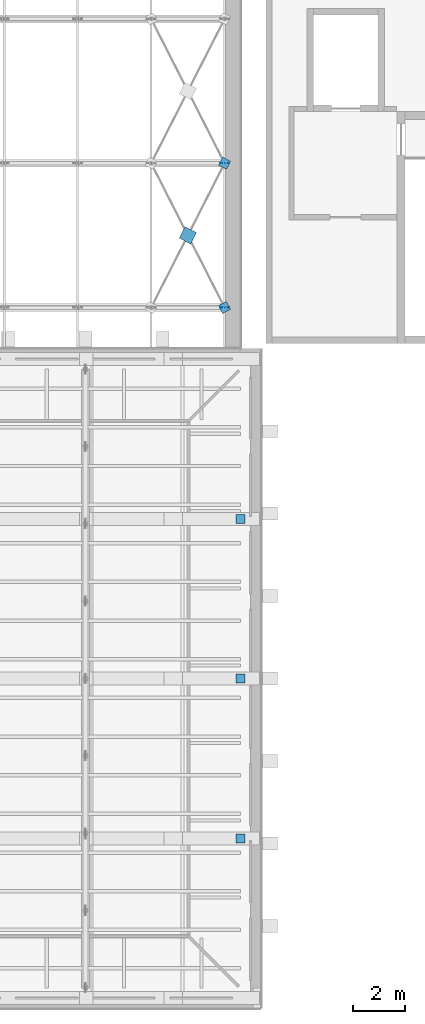
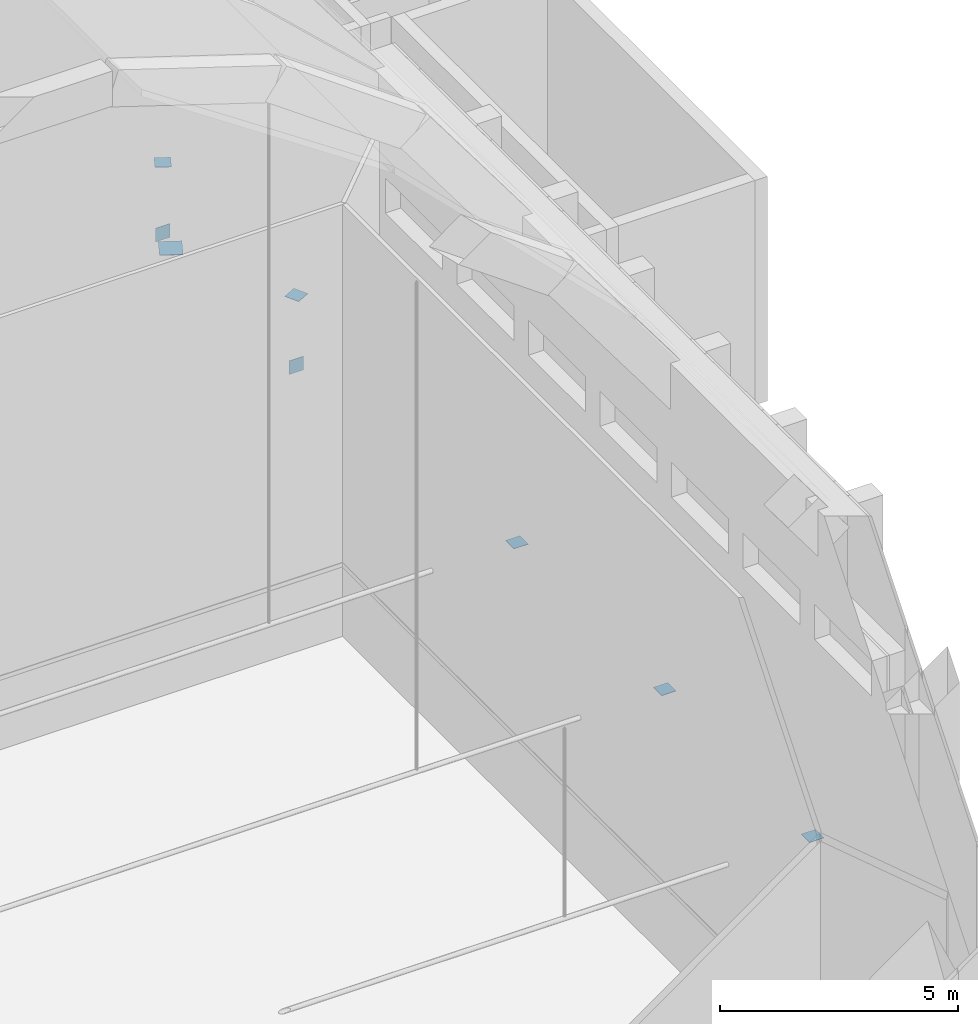
# One storey, part 50 of 55: 8 discrete accessories.
"""IFC4 building model written with IfcOpenShell, lengths in metres."""

from ifc_helpers import new_model, si_unit, direction, frame, origin, origin_2d, place, context, subcontext, project, spatial, rectangle, extrude, material, layer, layer_set, type_object, element, save


model = new_model("IFC4")

# Units and contexts
model_context = context("Model", 3, precision=1e-05, world=origin(), true_north=direction((0.0, 1.0)))
body_context = subcontext(model_context, "Body", "Model", "MODEL_VIEW")
ifc_project = project(units=[si_unit("LENGTHUNIT", "METRE"), si_unit("AREAUNIT", "SQUARE_METRE"), si_unit("VOLUMEUNIT", "CUBIC_METRE"), si_unit("PLANEANGLEUNIT", "RADIAN"), si_unit("MASSUNIT", "GRAM", prefix="KILO")], contexts=[model_context])

# Site, building, storey
site_placement = place(None, origin())
site = spatial("IfcSite", under=ifc_project, at=site_placement, CompositionType="ELEMENT")
building_placement = place(site_placement, origin())
building = spatial("IfcBuilding", under=site, at=building_placement, Name="Lunette Opera House", CompositionType="ELEMENT")
storey_placement = place(building_placement, frame((0.0, 0.0, 34.0)))
storey = spatial("IfcBuildingStorey", under=building, at=storey_placement, Name="L06", CompositionType="ELEMENT", Elevation=34.0)

# Discrete accessories
ifc_material_1 = material(Name="Steel S355", Category="steel")
ifc_layer_1 = layer(ifc_material_1, 0.011962890625)
ifc_layer_set_1 = layer_set([ifc_layer_1], Name="Steel S355")
discrete_accessory_type_1 = type_object("IfcDiscreteAccessoryType", Name="BRACE GUSSET PLATE 12", PredefinedType="USERDEFINED", material=ifc_layer_set_1)
for number, where, z_axis, x_axis, name in (
    (1, (108.010009765625, 101.800048828125, 3.994140625), (0.0, 0.0, 1.0), (1.0, 0.0, 0.0), "Gusset plate 41"),
    (2, (108.010009765625, 108.0, 3.994140625), (0.0, 0.0, 1.0), (1.0, 0.0, 0.0), "Gusset plate 43"),
    (3, (108.010009765625, 114.199951171875, 3.994140625), (0.0, 0.0, 1.0), (1.0, 0.0, 0.0), "Gusset plate 45"),
):
    element("IfcDiscreteAccessory", number, at=place(storey_placement, frame(where, z_axis=z_axis, x_axis=x_axis)), inside=storey, type_object=discrete_accessory_type_1, Name=name, ObjectType="GUSSET PLATE", PredefinedType="USERDEFINED", context=body_context, shape_type="SweptSolid", body=[
        extrude(rectangle(XDim=0.35009765625, YDim=0.35009765625, at=origin_2d()), origin(), (0.0, 0.0, 1.0), 0.011962890625),
    ])
for number, where, z_axis, x_axis, name in (
    (4, (107.39990234375, 122.39990234375, 3.599853515625), (0.0, 0.0, 1.0), (1.0, 0.0, 0.0), "Gusset plate 160"),
    (5, (107.39990234375, 128.0, 3.599853515625), (0.0, 0.0, 1.0), (1.0, 0.0, 0.0), "Gusset plate 169"),
):
    element("IfcDiscreteAccessory", number, at=place(storey_placement, frame(where, z_axis=z_axis, x_axis=x_axis)), inside=storey, type_object=discrete_accessory_type_1, Name=name, ObjectType="GUSSET PLATE", PredefinedType="USERDEFINED", context=body_context, shape_type="SweptSolid", body=[
        extrude(rectangle(XDim=0.35009765625, YDim=0.011962890625, at=origin_2d()), origin(), (0.0, 0.0, 1.0), 0.35009765625),
    ])
for number, where, z_axis, x_axis, name in (
    (6, (107.39990234375, 128.0, 5.56884765625), (0.0, 0.0, 1.0), (0.453567461466, 0.891221946487, 0.0), "Gusset plate 182"),
    (7, (107.39990234375, 122.39990234375, 5.56884765625), (0.0, 0.0, 1.0), (-0.453567461466, 0.891221946487, 0.0), "Gusset plate 347"),
):
    element("IfcDiscreteAccessory", number, at=place(storey_placement, frame(where, z_axis=z_axis, x_axis=x_axis)), inside=storey, type_object=discrete_accessory_type_1, Name=name, ObjectType="GUSSET PLATE", PredefinedType="USERDEFINED", context=body_context, shape_type="SweptSolid", body=[
        extrude(rectangle(XDim=0.35009765625, YDim=0.35009765625, at=origin_2d()), origin(), (0.0, 0.0, 1.0), 0.011962890625),
    ])
ifc_material_2 = material(Name="Steel S355", Category="steel")
ifc_layer_2 = layer(ifc_material_2, 0.01611328125)
ifc_layer_set_2 = layer_set([ifc_layer_2], Name="Steel S355")
discrete_accessory_type_2 = type_object("IfcDiscreteAccessoryType", Name="X-BRACE NODE PLATE 16", PredefinedType="USERDEFINED", material=ifc_layer_set_2)
discrete_accessory_placement = place(storey_placement, frame((105.97509765625, 125.199951171875, 5.56689453125), z_axis=(0.0, 0.0, 1.0), x_axis=(0.453567461466, 0.891221946487, 0.0)))
element("IfcDiscreteAccessory", 8, at=discrete_accessory_placement, inside=storey, type_object=discrete_accessory_type_2, Name="X-brace node plate 10", ObjectType="NODE PLATE", PredefinedType="USERDEFINED", context=body_context, shape_type="SweptSolid", body=[
    extrude(rectangle(XDim=0.5, YDim=0.5, at=origin_2d()), origin(), (0.0, 0.0, 1.0), 0.01611328125),
])

save(model, "model.ifc")
